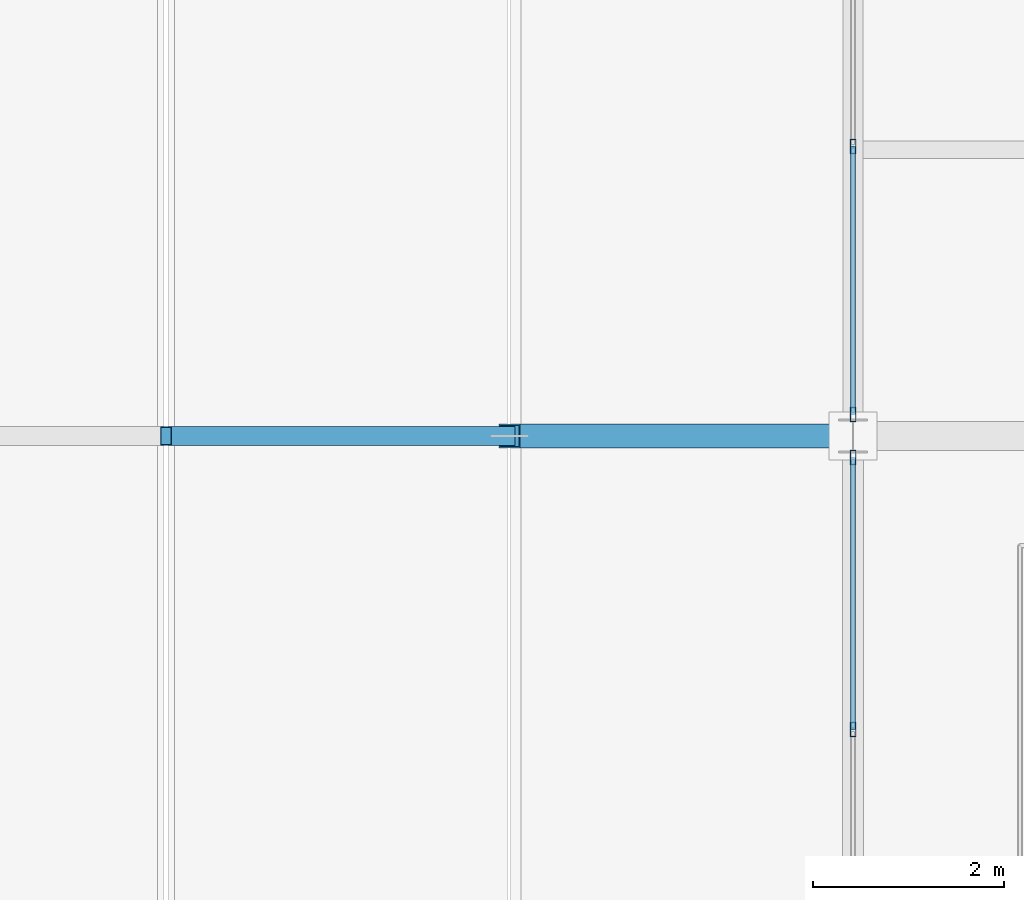
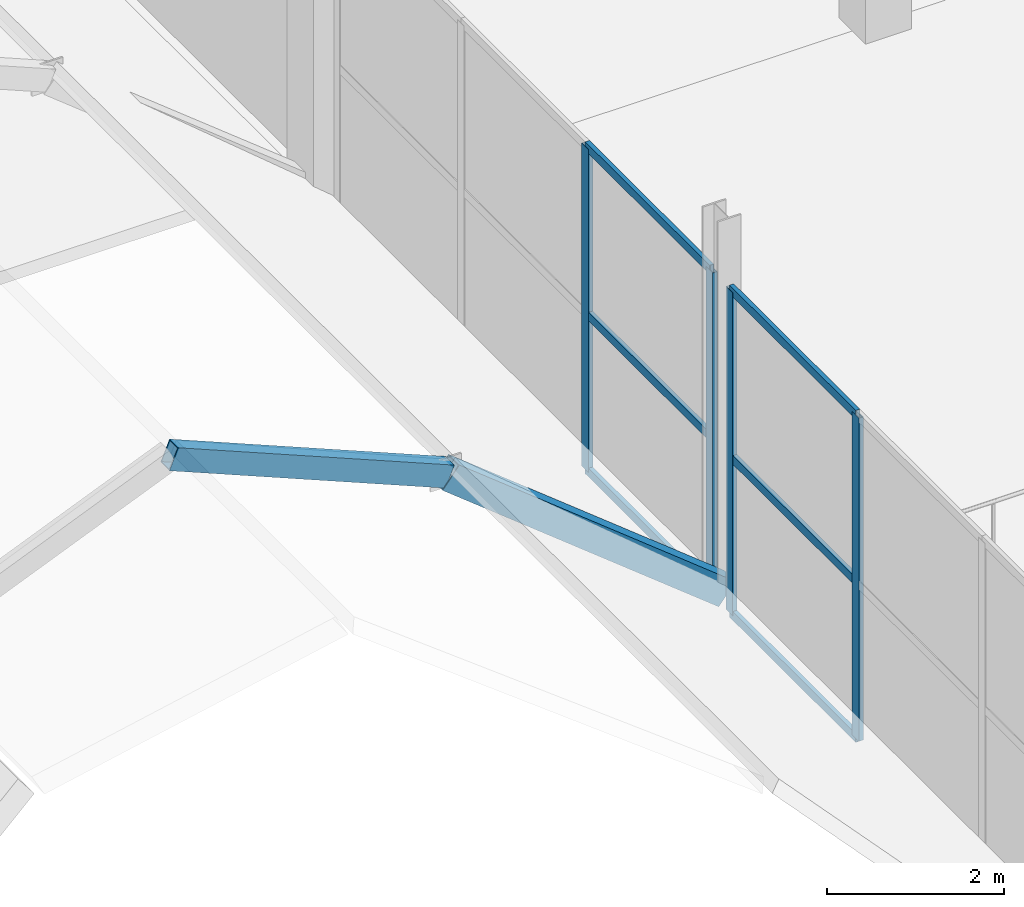
# One storey, part 36 of 141: 12 members, 2 elements without a shape of their own.
"""IFC4 building model written with IfcOpenShell, lengths in metres."""

from ifc_helpers import new_model, si_unit, direction, frame, origin, origin_2d, place, context, subcontext, project, spatial, hollow_rectangle, extrude, material, layer, layer_set, material_profile, profile_set, type_object, element, aggregate, save


model = new_model("IFC4")

# Units and contexts
model_context = context("Model", 3, precision=1e-05, world=origin(), true_north=direction((0.0, 1.0)))
body_context = subcontext(model_context, "Body", "Model", "MODEL_VIEW")
ifc_project = project(units=[si_unit("LENGTHUNIT", "METRE"), si_unit("AREAUNIT", "SQUARE_METRE"), si_unit("VOLUMEUNIT", "CUBIC_METRE"), si_unit("PLANEANGLEUNIT", "RADIAN"), si_unit("MASSUNIT", "GRAM", prefix="KILO")], contexts=[model_context])

# Site, building, storey
site_placement = place(None, origin())
site = spatial("IfcSite", under=ifc_project, at=site_placement, CompositionType="ELEMENT")
building_placement = place(site_placement, origin())
building = spatial("IfcBuilding", under=site, at=building_placement, Name="Sundgate Opera House", CompositionType="ELEMENT")
storey_placement = place(building_placement, frame((0.0, 0.0, 11.39990234375)))
storey = spatial("IfcBuildingStorey", under=building, at=storey_placement, Name="L02", CompositionType="ELEMENT", Elevation=11.39990234375)

# Curtain wall, members
ifc_material_1 = material(Name="Anodized aluminium and low-iron glass", Category="aluminium")
ifc_layer = layer(ifc_material_1, 0.159912109375)
ifc_layer_set = layer_set([ifc_layer], Name="Anodized aluminium and low-iron glass")
curtain_wall_type = type_object("IfcCurtainWallType", Name="CW-STUDIO-DARK", PredefinedType="NOTDEFINED", material=ifc_layer_set)
curtain_wall_1_placement = place(storey_placement, origin())
curtain_wall_1 = element("IfcCurtainWall", 1, at=curtain_wall_1_placement, inside=storey, type_object=curtain_wall_type, Name="L02 Curtain Wall CW066", PredefinedType="NOTDEFINED")
ifc_material_2 = material(Name="Anodized aluminium EN AW-6063", Category="aluminium")
ifc_material_profile_1 = material_profile(ifc_material_2, hollow_rectangle(XDim=0.06005859375, YDim=0.14990234375, WallThickness=0.00390625, at=origin_2d()), Name="CWM 150x60x4")
ifc_profile_set_1 = profile_set([ifc_material_profile_1], Name="Anodized aluminium EN AW-6063")
member_type_1 = type_object("IfcMemberType", Name="CWM-ALU-150x60", PredefinedType="MULLION", material=ifc_profile_set_1)
member_1_placement = place(storey_placement, frame((95.39990234375, 59.77490234375, 0.0), z_axis=(0.0, 0.0, 1.0), x_axis=(1.0, 0.0, 0.0)))
member_1 = element("IfcMember", 2, at=member_1_placement, type_object=member_type_1, Name="CW066 Mullion 1", PredefinedType="MULLION", context=body_context, shape_type="SweptSolid", body=[
    extrude(hollow_rectangle(XDim=0.06005859375, YDim=0.14990234375, WallThickness=0.00390625, at=origin_2d()), origin(), (0.0, 0.0, 1.0), 4.455078125),
])
member_2_placement = place(storey_placement, frame((95.39990234375, 56.925048828125, 0.0), z_axis=(0.0, 0.0, 1.0), x_axis=(1.0, 0.0, 0.0)))
member_2 = element("IfcMember", 3, at=member_2_placement, type_object=member_type_1, Name="CW066 Mullion 2", PredefinedType="MULLION", context=body_context, shape_type="SweptSolid", body=[
    extrude(hollow_rectangle(XDim=0.06005859375, YDim=0.14990234375, WallThickness=0.00390625, at=origin_2d()), origin(), (0.0, 0.0, 1.0), 4.455078125),
])

curtain_wall_2_placement = place(storey_placement, origin())
curtain_wall_2 = element("IfcCurtainWall", 4, at=curtain_wall_2_placement, inside=storey, type_object=curtain_wall_type, Name="L02 Curtain Wall CW068", PredefinedType="NOTDEFINED")
member_3_placement = place(storey_placement, frame((95.39990234375, 63.033447265625, 0.0), z_axis=(0.0, 0.0, 1.0), x_axis=(1.0, 0.0, 0.0)))
member_3 = element("IfcMember", 5, at=member_3_placement, type_object=member_type_1, Name="CW068 Mullion 3", PredefinedType="MULLION", context=body_context, shape_type="SweptSolid", body=[
    extrude(hollow_rectangle(XDim=0.06005859375, YDim=0.14990234375, WallThickness=0.00390625, at=origin_2d()), origin(), (0.0, 0.0, 1.0), 4.455078125),
])
member_4_placement = place(storey_placement, frame((95.39990234375, 60.22509765625, 0.0), z_axis=(0.0, 0.0, 1.0), x_axis=(1.0, 0.0, 0.0)))
member_4 = element("IfcMember", 6, at=member_4_placement, type_object=member_type_1, Name="CW068 Mullion 4", PredefinedType="MULLION", context=body_context, shape_type="SweptSolid", body=[
    extrude(hollow_rectangle(XDim=0.06005859375, YDim=0.14990234375, WallThickness=0.00390625, at=origin_2d()), origin(), (0.0, 0.0, 1.0), 4.455078125),
])

# Member
ifc_material_3 = material(Name="Anodized aluminium EN AW-6063", Category="aluminium")
ifc_material_profile_2 = material_profile(ifc_material_3, hollow_rectangle(XDim=0.054931640625, YDim=0.1201171875, WallThickness=0.00390625, at=origin_2d()), Name="CWT 120x55x4")
ifc_profile_set_2 = profile_set([ifc_material_profile_2], Name="Anodized aluminium EN AW-6063")
member_type_2 = type_object("IfcMemberType", Name="CWT-ALU-120x55", PredefinedType="USERDEFINED", material=ifc_profile_set_2)
member_5_placement = place(storey_placement, frame((95.39990234375, 59.77490234375, 0.0), z_axis=(0.0, -1.0, 0.0), x_axis=(1.0, 0.0, 0.0)))
member_5 = element("IfcMember", 7, at=member_5_placement, type_object=member_type_2, Name="CW066 Transom 1", ObjectType="TRANSOM", PredefinedType="USERDEFINED", context=body_context, shape_type="SweptSolid", body=[
    extrude(hollow_rectangle(XDim=0.054931640625, YDim=0.1201171875, WallThickness=0.00390625, at=origin_2d()), origin(), (0.0, 0.0, 1.0), 2.849853515625),
])

member_6_placement = place(storey_placement, frame((95.39990234375, 59.77490234375, 2.150146484375), z_axis=(0.0, -1.0, 0.0), x_axis=(1.0, 0.0, 0.0)))
member_6 = element("IfcMember", 8, at=member_6_placement, type_object=member_type_2, Name="CW066 Transom 2", ObjectType="TRANSOM", PredefinedType="USERDEFINED", context=body_context, shape_type="SweptSolid", body=[
    extrude(hollow_rectangle(XDim=0.054931640625, YDim=0.1201171875, WallThickness=0.00390625, at=origin_2d()), origin(), (0.0, 0.0, 1.0), 2.849853515625),
])

member_7_placement = place(storey_placement, frame((95.39990234375, 59.77490234375, 4.455078125), z_axis=(0.0, -1.0, 0.0), x_axis=(1.0, 0.0, 0.0)))
member_7 = element("IfcMember", 9, at=member_7_placement, type_object=member_type_2, Name="CW066 Transom 3", ObjectType="TRANSOM", PredefinedType="USERDEFINED", context=body_context, shape_type="SweptSolid", body=[
    extrude(hollow_rectangle(XDim=0.054931640625, YDim=0.1201171875, WallThickness=0.00390625, at=origin_2d()), origin(), (0.0, 0.0, 1.0), 2.849853515625),
])

aggregate(curtain_wall_1, [member_1, member_2, member_5, member_6, member_7])

member_8_placement = place(storey_placement, frame((95.39990234375, 63.033447265625, 0.0), z_axis=(0.0, -1.0, 0.0), x_axis=(1.0, 0.0, 0.0)))
member_8 = element("IfcMember", 10, at=member_8_placement, type_object=member_type_2, Name="CW068 Transom 7", ObjectType="TRANSOM", PredefinedType="USERDEFINED", context=body_context, shape_type="SweptSolid", body=[
    extrude(hollow_rectangle(XDim=0.054931640625, YDim=0.1201171875, WallThickness=0.00390625, at=origin_2d()), origin(), (0.0, 0.0, 1.0), 2.808349609375),
])

member_9_placement = place(storey_placement, frame((95.39990234375, 63.033447265625, 2.150146484375), z_axis=(0.0, -1.0, 0.0), x_axis=(1.0, 0.0, 0.0)))
member_9 = element("IfcMember", 11, at=member_9_placement, type_object=member_type_2, Name="CW068 Transom 8", ObjectType="TRANSOM", PredefinedType="USERDEFINED", context=body_context, shape_type="SweptSolid", body=[
    extrude(hollow_rectangle(XDim=0.054931640625, YDim=0.1201171875, WallThickness=0.00390625, at=origin_2d()), origin(), (0.0, 0.0, 1.0), 2.808349609375),
])

member_10_placement = place(storey_placement, frame((95.39990234375, 63.033447265625, 4.455078125), z_axis=(0.0, -1.0, 0.0), x_axis=(1.0, 0.0, 0.0)))
member_10 = element("IfcMember", 12, at=member_10_placement, type_object=member_type_2, Name="CW068 Transom 9", ObjectType="TRANSOM", PredefinedType="USERDEFINED", context=body_context, shape_type="SweptSolid", body=[
    extrude(hollow_rectangle(XDim=0.054931640625, YDim=0.1201171875, WallThickness=0.00390625, at=origin_2d()), origin(), (0.0, 0.0, 1.0), 2.808349609375),
])

aggregate(curtain_wall_2, [member_3, member_4, member_8, member_9, member_10])

# Members
ifc_material_4 = material(Name="Steel S355J2", Category="steel")
ifc_material_profile_3 = material_profile(ifc_material_4, hollow_rectangle(XDim=0.199951171875, YDim=0.300048828125, WallThickness=0.012451171875, at=origin_2d()), Name="RHS 300x200x12.5")
ifc_profile_set_3 = profile_set([ifc_material_profile_3], Name="Steel S355J2")
member_type_3 = type_object("IfcMemberType", Name="MB-ARCH-RHS300", PredefinedType="USERDEFINED", material=ifc_profile_set_3)
member_11_placement = place(storey_placement, frame((88.199951171875, 60.0, 4.550048828125), z_axis=(0.9230806271, 0.0, -0.384606494839), x_axis=(0.0, 1.0, 0.0)))
element("IfcMember", 13, at=member_11_placement, inside=storey, type_object=member_type_3, Name="Passage Parabolic Arch Rib M0330", ObjectType="ARCH RIB", PredefinedType="USERDEFINED", context=body_context, shape_type="SweptSolid", body=[
    extrude(hollow_rectangle(XDim=0.199951171875, YDim=0.300048828125, WallThickness=0.012451171875, at=origin_2d()), origin(), (0.0, 0.0, 1.0), 3.900146484375),
])
ifc_material_5 = material(Name="Steel S355ML", Category="steel")
ifc_material_profile_4 = material_profile(ifc_material_5, hollow_rectangle(XDim=0.25, YDim=0.35009765625, WallThickness=0.012451171875, at=origin_2d()), Name="RHS 350x250x12.5")
ifc_profile_set_4 = profile_set([ifc_material_profile_4], Name="Steel S355ML")
member_type_4 = type_object("IfcMemberType", Name="MB-ARCH-RHS350", PredefinedType="USERDEFINED", material=ifc_profile_set_4)
member_12_placement = place(storey_placement, frame((91.800048828125, 60.0, 3.050048828125), z_axis=(0.782445326099, 0.0, -0.622719288015), x_axis=(0.0, 1.0, 0.0)))
element("IfcMember", 14, at=member_12_placement, inside=storey, type_object=member_type_4, Name="Passage Parabolic Arch Rib M0331", ObjectType="ARCH RIB", PredefinedType="USERDEFINED", context=body_context, shape_type="SweptSolid", body=[
    extrude(hollow_rectangle(XDim=0.25, YDim=0.35009765625, WallThickness=0.012451171875, at=origin_2d()), origin(), (0.0, 0.0, 1.0), 4.600830078125),
])

save(model, "model.ifc")
